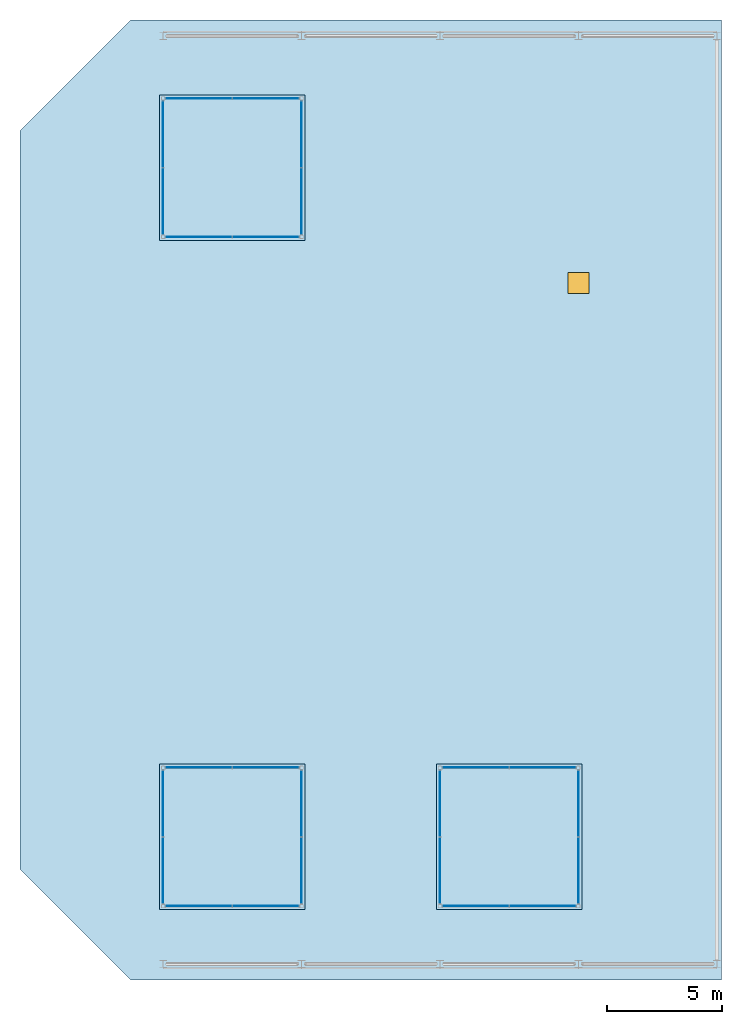
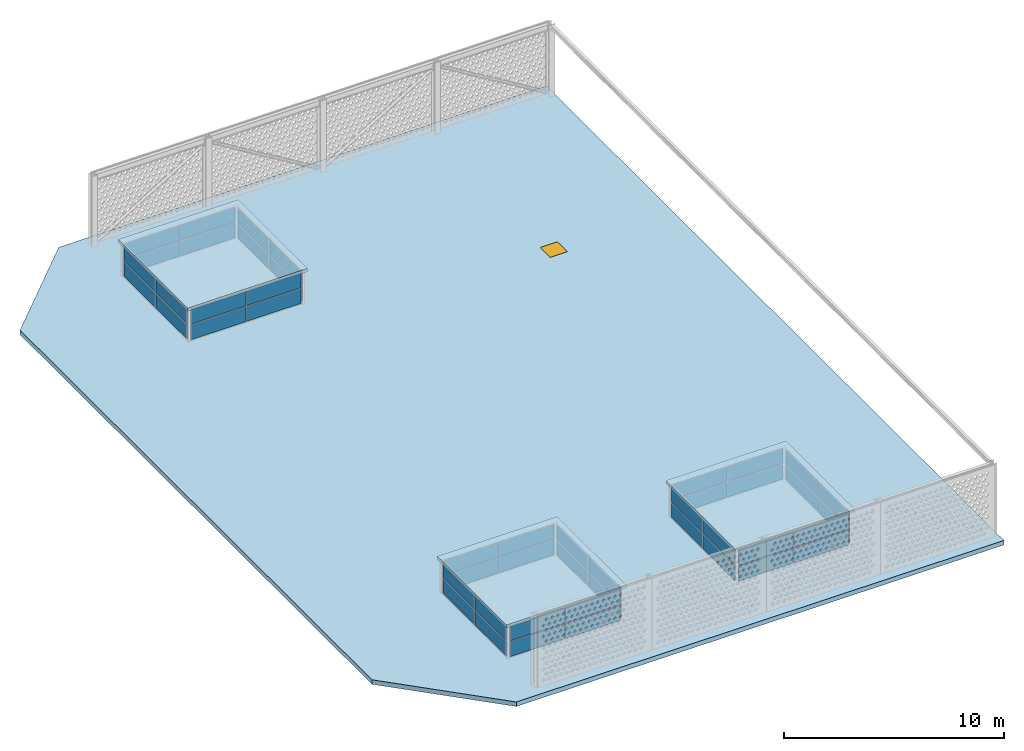
"""IFC4 building model written with IfcOpenShell, lengths in metres."""

import ifcopenshell
import ifcopenshell.guid

model = None  # the IFC model being written
_history = None  # IfcOwnerHistory: only IFC2X3 demands one
_inside = {}  # id of a spatial element -> (the spatial element, [elements in it])
_under = {}  # id of a project, library or spatial element -> (it, [spatial elements below it])
_declared = {}  # id of a project -> (the project, [libraries it declares])
_typed = {}  # id of a type object -> (the type object, [elements of that type])
_made_of = {}  # id of a material, layer set ... -> (it, [elements and type objects made of it])


def new_model(schema):
    """Start an empty IFC model of exactly this schema.

    Asked for "IFC4X3", IfcOpenShell would pick the latest addendum, in which some entities
    have other attributes; the version numbers below select the first issue.
    IFC2X3 requires an IfcOwnerHistory on every rooted entity: one is made here for all.
    """
    global model, _history
    if schema == "IFC4X3":
        model = ifcopenshell.file(schema_version=(4, 3, 0, 0))
    else:
        model = ifcopenshell.file(schema=schema)
    _inside.clear()
    _under.clear()
    _declared.clear()
    _typed.clear()
    _made_of.clear()
    _history = None
    if model.schema == "IFC2X3":
        org = make("IfcOrganization", Name="unknown")
        user = make(
            "IfcPersonAndOrganization",
            ThePerson=make("IfcPerson", FamilyName="unknown"),
            TheOrganization=org,
        )
        app = make(
            "IfcApplication",
            ApplicationDeveloper=org,
            Version="unknown",
            ApplicationFullName="unknown",
            ApplicationIdentifier="unknown",
        )
        _history = make(
            "IfcOwnerHistory",
            OwningUser=user,
            OwningApplication=app,
            ChangeAction="ADDED",
            CreationDate=0,
        )
    return model


def make(cls, **values):
    """One entity of the class cls with the attributes given. An attribute that is None is left unset."""
    return model.create_entity(
        cls, **{name: value for name, value in values.items() if value is not None}
    )


def rooted(cls, **values):
    """An entity with a GlobalId (a new one), such as an element, a storey or a relation."""
    return make(cls, GlobalId=ifcopenshell.guid.new(), OwnerHistory=_history, **values)


def si_unit(unit_type, name, prefix=None):
    """IfcSIUnit, for example si_unit("LENGTHUNIT", "METRE", prefix="MILLI")."""
    return make("IfcSIUnit", UnitType=unit_type, Prefix=prefix, Name=name)


def assignment(units):
    """IfcUnitAssignment: the units of a project."""
    return None if units is None else make("IfcUnitAssignment", Units=units)


def point(xyz):
    """IfcCartesianPoint."""
    return None if xyz is None else make("IfcCartesianPoint", Coordinates=xyz)


def direction(xyz):
    """IfcDirection."""
    return None if xyz is None else make("IfcDirection", DirectionRatios=xyz)


def frame(location, z_axis=None, x_axis=None):
    """IfcAxis2Placement3D, a coordinate frame: its origin and axes. An axis left out is left unset."""
    return make(
        "IfcAxis2Placement3D",
        Location=point(location),
        Axis=direction(z_axis),
        RefDirection=direction(x_axis),
    )


def frame_2d(location, x_axis=None):
    """IfcAxis2Placement2D, a coordinate frame in the plane: its origin and x axis."""
    return make(
        "IfcAxis2Placement2D", Location=point(location), RefDirection=direction(x_axis)
    )


def origin():
    """The frame at (0, 0, 0) with its axes left unset."""
    return frame((0.0, 0.0, 0.0))


def origin_2d():
    """The frame at (0, 0) in the plane with its x axis left unset."""
    return frame_2d((0.0, 0.0))


def place(relative_to, where):
    """IfcLocalPlacement: puts the frame where relative to a parent placement (None: the world)."""
    return make(
        "IfcLocalPlacement", PlacementRelTo=relative_to, RelativePlacement=where
    )


def context(
    kind, dimensions, precision=None, world=None, true_north=None, identifier=None
):
    """IfcGeometricRepresentationContext, for example the 3D "Model" context."""
    return make(
        "IfcGeometricRepresentationContext",
        ContextIdentifier=identifier,
        ContextType=kind,
        CoordinateSpaceDimension=dimensions,
        Precision=precision,
        WorldCoordinateSystem=world,
        TrueNorth=true_north,
    )


def subcontext(parent, identifier, kind, view, scale=None):
    """IfcGeometricRepresentationSubContext, for example "Body" below "Model"."""
    return make(
        "IfcGeometricRepresentationSubContext",
        ContextIdentifier=identifier,
        ContextType=kind,
        ParentContext=parent,
        TargetScale=scale,
        TargetView=view,
    )


def project(units=None, contexts=None):
    """IfcProject with its units and contexts."""
    return rooted(
        "IfcProject",
        Name="project",
        RepresentationContexts=contexts,
        UnitsInContext=assignment(units),
    )


def spatial(cls, under=None, at=None, **own):
    """A site, building, storey or space (cls), placed at a placement, below another one or the project."""
    s = rooted(cls, ObjectPlacement=at, **own)
    if under is not None:
        _under.setdefault(under.id(), (under, []))[1].append(s)
    return s


def polyline(points):
    """IfcPolyline through the points."""
    return make("IfcPolyline", Points=[point(p) for p in points])


def profile(cls, at=None, kind="AREA", **sizes):
    """A parametric profile (cls). Its sizes go by their IFC names, for example OverallWidth=200.0."""
    return make(cls, ProfileType=kind, Position=at, **sizes)


def rectangle(**sizes):
    """IfcRectangleProfileDef."""
    return profile("IfcRectangleProfileDef", **sizes)


def outline(outer, holes=None, kind="AREA"):
    """IfcArbitraryClosedProfileDef: a profile drawn as a closed curve; with holes, ...WithVoids."""
    if holes is None:
        return make("IfcArbitraryClosedProfileDef", ProfileType=kind, OuterCurve=outer)
    return make(
        "IfcArbitraryProfileDefWithVoids",
        ProfileType=kind,
        OuterCurve=outer,
        InnerCurves=holes,
    )


def extrude(swept, where, along, depth):
    """IfcExtrudedAreaSolid: the profile swept, set in the frame where, extruded along a direction by depth."""
    return make(
        "IfcExtrudedAreaSolid",
        SweptArea=swept,
        Position=where,
        ExtrudedDirection=direction(along),
        Depth=depth,
    )


def shape(context_of_items, identifier, shape_type, items):
    """IfcShapeRepresentation: the items that make up one representation, for example the "Body"."""
    return make(
        "IfcShapeRepresentation",
        ContextOfItems=context_of_items,
        RepresentationIdentifier=identifier,
        RepresentationType=shape_type,
        Items=items,
    )


def source(mapping_origin, context_of_items, identifier, shape_type, items):
    """IfcRepresentationMap: a shape defined once, which mapped items show again and again."""
    return make(
        "IfcRepresentationMap",
        MappingOrigin=mapping_origin,
        MappedRepresentation=shape(context_of_items, identifier, shape_type, items),
    )


def transform(
    local_origin,
    x_axis=None,
    y_axis=None,
    z_axis=None,
    scale=None,
    scale2=None,
    scale3=None,
    uniform=True,
):
    """IfcCartesianTransformationOperator3D, or its non-uniform kind. x_axis, y_axis, z_axis: its Axis1, 2, 3."""
    if uniform:
        return make(
            "IfcCartesianTransformationOperator3D",
            Axis1=direction(x_axis),
            Axis2=direction(y_axis),
            LocalOrigin=point(local_origin),
            Scale=scale,
            Axis3=direction(z_axis),
        )
    return make(
        "IfcCartesianTransformationOperator3DnonUniform",
        Axis1=direction(x_axis),
        Axis2=direction(y_axis),
        LocalOrigin=point(local_origin),
        Scale=scale,
        Axis3=direction(z_axis),
        Scale2=scale2,
        Scale3=scale3,
    )


def mapped(mapping_source, mapping_target):
    """IfcMappedItem: shows the shape of a source again, moved by a transform."""
    return make(
        "IfcMappedItem", MappingSource=mapping_source, MappingTarget=mapping_target
    )


def material(Name=None, Category=None):
    """IfcMaterial."""
    return make("IfcMaterial", Name=Name, Category=Category)


def layer(
    of_material, thickness, ventilated=None, Name=None, Category=None, Priority=None
):
    """IfcMaterialLayer: one layer of a wall or slab, of a material (None: an air gap)."""
    return make(
        "IfcMaterialLayer",
        Material=of_material,
        LayerThickness=thickness,
        IsVentilated=ventilated,
        Name=Name,
        Category=Category,
        Priority=Priority,
    )


def layer_set(layers, Name=None):
    """IfcMaterialLayerSet."""
    return make("IfcMaterialLayerSet", MaterialLayers=layers, LayerSetName=Name)


def made_of(thing, what):
    """Note that an element or type object is made of a material, layer set ...; save() writes the relation."""
    if what is not None:
        _made_of.setdefault(what.id(), (what, []))[1].append(thing)
    return thing


def type_object(cls, material=None, **own):
    """A type object (cls), such as IfcWallType, which elements share."""
    return made_of(rooted(cls, **own), material)


def element(
    cls,
    number,
    at=None,
    inside=None,
    cuts=None,
    type_object=None,
    material=None,
    context=None,
    identifier="Body",
    shape_type=None,
    held_by="IfcProductDefinitionShape",
    body=None,
    shapes=None,
    **own,
):
    """One element of the class cls, such as IfcWall. Its Tag is "e" and its number.

    at: its placement. inside: the storey or other place that contains it. cuts: it is an
    opening in that element (IfcRelVoidsElement). A single representation is given by context,
    identifier, shape_type and body (its items); several are given by shapes. held_by: the class
    of the entity that holds the representations. save() writes the other relations.
    """
    e = rooted(cls, Tag="e%d" % number, ObjectPlacement=at, **own)
    if body is not None:
        shapes = [shape(context, identifier, shape_type, body)]
    if shapes is not None:
        e.Representation = make(held_by, Representations=shapes)
    if inside is not None:
        _inside.setdefault(inside.id(), (inside, []))[1].append(e)
    if cuts is not None:
        rooted(
            "IfcRelVoidsElement", RelatingBuildingElement=cuts, RelatedOpeningElement=e
        )
    if type_object is not None:
        _typed.setdefault(type_object.id(), (type_object, []))[1].append(e)
    return made_of(e, material)


def fill(opening, filler):
    """IfcRelFillsElement: the door or window that sits in an opening."""
    return rooted(
        "IfcRelFillsElement",
        RelatingOpeningElement=opening,
        RelatedBuildingElement=filler,
    )


def aggregate(whole, parts):
    """IfcRelAggregates: a whole, such as a stair, and the parts it consists of."""
    return rooted("IfcRelAggregates", RelatingObject=whole, RelatedObjects=parts)


def save(model, path):
    """Write the relations noted so far, then the file.

    IfcRelAggregates (storeys below a building ...), IfcRelContainedInSpatialStructure (elements
    in a storey), IfcRelDefinesByType, IfcRelAssociatesMaterial and IfcRelDeclares: one each for
    every whole, place, type object, material and project.
    """
    for whole, parts in _under.values():
        aggregate(whole, parts)
    for where, things in _inside.values():
        rooted(
            "IfcRelContainedInSpatialStructure",
            RelatedElements=things,
            RelatingStructure=where,
        )
    for kind, things in _typed.values():
        rooted("IfcRelDefinesByType", RelatedObjects=things, RelatingType=kind)
    for what, things in _made_of.values():
        rooted("IfcRelAssociatesMaterial", RelatedObjects=things, RelatingMaterial=what)
    for by, libraries in _declared.values():
        rooted("IfcRelDeclares", RelatingContext=by, RelatedDefinitions=libraries)
    model.write(path)


model = new_model("IFC4")

# Units and contexts
model_context = context("Model", 3, precision=1e-05, world=origin(), true_north=direction((0.0, 1.0)))
body_context = subcontext(model_context, "Body", "Model", "MODEL_VIEW")
ifc_project = project(units=[si_unit("LENGTHUNIT", "METRE"), si_unit("AREAUNIT", "SQUARE_METRE"), si_unit("VOLUMEUNIT", "CUBIC_METRE"), si_unit("PLANEANGLEUNIT", "RADIAN"), si_unit("MASSUNIT", "GRAM", prefix="KILO")], contexts=[model_context])

# Site, building, storey
site_placement = place(None, origin())
site = spatial("IfcSite", under=ifc_project, at=site_placement, CompositionType="ELEMENT")
building_placement = place(site_placement, origin())
building = spatial("IfcBuilding", under=site, at=building_placement, Name="Poui Terraces", CompositionType="ELEMENT")
storey_1_placement = place(building_placement, frame((0.0, 0.0, 292.199951171875)))
storey_1 = spatial("IfcBuildingStorey", under=building, at=storey_1_placement, Name="ROOF", CompositionType="ELEMENT", Elevation=292.199951171875)

# Curtain wall, plates
ifc_material_1 = material(Name="Clear glass", Category="glass")
ifc_layer_1 = layer(ifc_material_1, 0.1201171875)
ifc_layer_set_1 = layer_set([ifc_layer_1], Name="Clear glass")
curtain_wall_type = type_object("IfcCurtainWallType", Name="CURTAIN WALL CW-F LANTERN GLAZING", PredefinedType="NOTDEFINED", material=ifc_layer_set_1)
curtain_wall_1_placement = place(storey_1_placement, origin())
curtain_wall_1 = element("IfcCurtainWall", 1, at=curtain_wall_1_placement, inside=storey_1, type_object=curtain_wall_type, Name="CW-F LANTERN GLAZING", PredefinedType="NOTDEFINED")
ifc_layer_2 = layer(ifc_material_1, 0.02392578125)
ifc_layer_set_2 = layer_set([ifc_layer_2], Name="Clear glass")
plate_type = type_object("IfcPlateType", Name="CW-F GLASS PANEL 24", PredefinedType="CURTAIN_PANEL", material=ifc_layer_set_2)
plate_1_placement = place(storey_1_placement, frame((25.550048828125, 3.0, 0.05029296875), z_axis=(0.0, 0.0, 1.0), x_axis=(1.0, 0.0, 0.0)))
plate_1 = element("IfcPlate", 2, at=plate_1_placement, type_object=plate_type, Name="CW-F panel 1.1", PredefinedType="CURTAIN_PANEL", context=body_context, shape_type="SweptSolid", body=[
    extrude(rectangle(XDim=2.85009765625, YDim=0.02392578125, at=origin_2d()), origin(), (0.0, 0.0, 1.0), 0.824951171875),
])
plate_2_placement = place(storey_1_placement, frame((25.550048828125, 3.0, 0.92529296875), z_axis=(0.0, 0.0, 1.0), x_axis=(1.0, 0.0, 0.0)))
plate_2 = element("IfcPlate", 3, at=plate_2_placement, type_object=plate_type, Name="CW-F panel 1.2", PredefinedType="CURTAIN_PANEL", context=body_context, shape_type="SweptSolid", body=[
    extrude(rectangle(XDim=2.85009765625, YDim=0.02392578125, at=origin_2d()), origin(), (0.0, 0.0, 1.0), 0.824951171875),
])
plate_3_placement = place(storey_1_placement, frame((28.449951171875, 3.0, 0.05029296875), z_axis=(0.0, 0.0, 1.0), x_axis=(1.0, 0.0, 0.0)))
plate_3 = element("IfcPlate", 4, at=plate_3_placement, type_object=plate_type, Name="CW-F panel 2.1", PredefinedType="CURTAIN_PANEL", context=body_context, shape_type="SweptSolid", body=[
    extrude(rectangle(XDim=2.85009765625, YDim=0.02392578125, at=origin_2d()), origin(), (0.0, 0.0, 1.0), 0.824951171875),
])
plate_4_placement = place(storey_1_placement, frame((28.449951171875, 3.0, 0.92529296875), z_axis=(0.0, 0.0, 1.0), x_axis=(1.0, 0.0, 0.0)))
plate_4 = element("IfcPlate", 5, at=plate_4_placement, type_object=plate_type, Name="CW-F panel 2.2", PredefinedType="CURTAIN_PANEL", context=body_context, shape_type="SweptSolid", body=[
    extrude(rectangle(XDim=2.85009765625, YDim=0.02392578125, at=origin_2d()), origin(), (0.0, 0.0, 1.0), 0.824951171875),
])
aggregate(curtain_wall_1, [plate_1, plate_2, plate_3, plate_4])

curtain_wall_2_placement = place(storey_1_placement, origin())
curtain_wall_2 = element("IfcCurtainWall", 6, at=curtain_wall_2_placement, inside=storey_1, type_object=curtain_wall_type, Name="CW-F LANTERN GLAZING", PredefinedType="NOTDEFINED")
plate_5_placement = place(storey_1_placement, frame((28.449951171875, 9.0, 0.05029296875), z_axis=(0.0, 0.0, 1.0), x_axis=(-1.0, 0.0, 0.0)))
plate_5 = element("IfcPlate", 7, at=plate_5_placement, type_object=plate_type, Name="CW-F panel 1.1", PredefinedType="CURTAIN_PANEL", context=body_context, shape_type="SweptSolid", body=[
    extrude(rectangle(XDim=2.85009765625, YDim=0.02392578125, at=origin_2d()), origin(), (0.0, 0.0, 1.0), 0.824951171875),
])
plate_6_placement = place(storey_1_placement, frame((28.449951171875, 9.0, 0.92529296875), z_axis=(0.0, 0.0, 1.0), x_axis=(-1.0, 0.0, 0.0)))
plate_6 = element("IfcPlate", 8, at=plate_6_placement, type_object=plate_type, Name="CW-F panel 1.2", PredefinedType="CURTAIN_PANEL", context=body_context, shape_type="SweptSolid", body=[
    extrude(rectangle(XDim=2.85009765625, YDim=0.02392578125, at=origin_2d()), origin(), (0.0, 0.0, 1.0), 0.824951171875),
])
plate_7_placement = place(storey_1_placement, frame((25.550048828125, 9.0, 0.05029296875), z_axis=(0.0, 0.0, 1.0), x_axis=(-1.0, 0.0, 0.0)))
plate_7 = element("IfcPlate", 9, at=plate_7_placement, type_object=plate_type, Name="CW-F panel 2.1", PredefinedType="CURTAIN_PANEL", context=body_context, shape_type="SweptSolid", body=[
    extrude(rectangle(XDim=2.85009765625, YDim=0.02392578125, at=origin_2d()), origin(), (0.0, 0.0, 1.0), 0.824951171875),
])
plate_8_placement = place(storey_1_placement, frame((25.550048828125, 9.0, 0.92529296875), z_axis=(0.0, 0.0, 1.0), x_axis=(-1.0, 0.0, 0.0)))
plate_8 = element("IfcPlate", 10, at=plate_8_placement, type_object=plate_type, Name="CW-F panel 2.2", PredefinedType="CURTAIN_PANEL", context=body_context, shape_type="SweptSolid", body=[
    extrude(rectangle(XDim=2.85009765625, YDim=0.02392578125, at=origin_2d()), origin(), (0.0, 0.0, 1.0), 0.824951171875),
])
aggregate(curtain_wall_2, [plate_5, plate_6, plate_7, plate_8])

curtain_wall_3_placement = place(storey_1_placement, origin())
curtain_wall_3 = element("IfcCurtainWall", 11, at=curtain_wall_3_placement, inside=storey_1, type_object=curtain_wall_type, Name="CW-F LANTERN GLAZING", PredefinedType="NOTDEFINED")
plate_9_placement = place(storey_1_placement, frame((30.0, 4.550048828125, 0.05029296875), z_axis=(0.0, 0.0, 1.0), x_axis=(0.0, 1.0, 0.0)))
plate_9 = element("IfcPlate", 12, at=plate_9_placement, type_object=plate_type, Name="CW-F panel 1.1", PredefinedType="CURTAIN_PANEL", context=body_context, shape_type="SweptSolid", body=[
    extrude(rectangle(XDim=2.85009765625, YDim=0.02392578125, at=origin_2d()), origin(), (0.0, 0.0, 1.0), 0.824951171875),
])
plate_10_placement = place(storey_1_placement, frame((30.0, 4.550048828125, 0.92529296875), z_axis=(0.0, 0.0, 1.0), x_axis=(0.0, 1.0, 0.0)))
plate_10 = element("IfcPlate", 13, at=plate_10_placement, type_object=plate_type, Name="CW-F panel 1.2", PredefinedType="CURTAIN_PANEL", context=body_context, shape_type="SweptSolid", body=[
    extrude(rectangle(XDim=2.85009765625, YDim=0.02392578125, at=origin_2d()), origin(), (0.0, 0.0, 1.0), 0.824951171875),
])
plate_11_placement = place(storey_1_placement, frame((30.0, 7.449951171875, 0.05029296875), z_axis=(0.0, 0.0, 1.0), x_axis=(0.0, 1.0, 0.0)))
plate_11 = element("IfcPlate", 14, at=plate_11_placement, type_object=plate_type, Name="CW-F panel 2.1", PredefinedType="CURTAIN_PANEL", context=body_context, shape_type="SweptSolid", body=[
    extrude(rectangle(XDim=2.85009765625, YDim=0.02392578125, at=origin_2d()), origin(), (0.0, 0.0, 1.0), 0.824951171875),
])
plate_12_placement = place(storey_1_placement, frame((30.0, 7.449951171875, 0.92529296875), z_axis=(0.0, 0.0, 1.0), x_axis=(0.0, 1.0, 0.0)))
plate_12 = element("IfcPlate", 15, at=plate_12_placement, type_object=plate_type, Name="CW-F panel 2.2", PredefinedType="CURTAIN_PANEL", context=body_context, shape_type="SweptSolid", body=[
    extrude(rectangle(XDim=2.85009765625, YDim=0.02392578125, at=origin_2d()), origin(), (0.0, 0.0, 1.0), 0.824951171875),
])
aggregate(curtain_wall_3, [plate_9, plate_10, plate_11, plate_12])

curtain_wall_4_placement = place(storey_1_placement, origin())
curtain_wall_4 = element("IfcCurtainWall", 16, at=curtain_wall_4_placement, inside=storey_1, type_object=curtain_wall_type, Name="CW-F LANTERN GLAZING", PredefinedType="NOTDEFINED")
plate_13_placement = place(storey_1_placement, frame((24.0, 7.449951171875, 0.05029296875), z_axis=(0.0, 0.0, 1.0), x_axis=(0.0, -1.0, 0.0)))
plate_13 = element("IfcPlate", 17, at=plate_13_placement, type_object=plate_type, Name="CW-F panel 1.1", PredefinedType="CURTAIN_PANEL", context=body_context, shape_type="SweptSolid", body=[
    extrude(rectangle(XDim=2.85009765625, YDim=0.02392578125, at=origin_2d()), origin(), (0.0, 0.0, 1.0), 0.824951171875),
])
plate_14_placement = place(storey_1_placement, frame((24.0, 7.449951171875, 0.92529296875), z_axis=(0.0, 0.0, 1.0), x_axis=(0.0, -1.0, 0.0)))
plate_14 = element("IfcPlate", 18, at=plate_14_placement, type_object=plate_type, Name="CW-F panel 1.2", PredefinedType="CURTAIN_PANEL", context=body_context, shape_type="SweptSolid", body=[
    extrude(rectangle(XDim=2.85009765625, YDim=0.02392578125, at=origin_2d()), origin(), (0.0, 0.0, 1.0), 0.824951171875),
])
plate_15_placement = place(storey_1_placement, frame((24.0, 4.550048828125, 0.05029296875), z_axis=(0.0, 0.0, 1.0), x_axis=(0.0, -1.0, 0.0)))
plate_15 = element("IfcPlate", 19, at=plate_15_placement, type_object=plate_type, Name="CW-F panel 2.1", PredefinedType="CURTAIN_PANEL", context=body_context, shape_type="SweptSolid", body=[
    extrude(rectangle(XDim=2.85009765625, YDim=0.02392578125, at=origin_2d()), origin(), (0.0, 0.0, 1.0), 0.824951171875),
])
plate_16_placement = place(storey_1_placement, frame((24.0, 4.550048828125, 0.92529296875), z_axis=(0.0, 0.0, 1.0), x_axis=(0.0, -1.0, 0.0)))
plate_16 = element("IfcPlate", 20, at=plate_16_placement, type_object=plate_type, Name="CW-F panel 2.2", PredefinedType="CURTAIN_PANEL", context=body_context, shape_type="SweptSolid", body=[
    extrude(rectangle(XDim=2.85009765625, YDim=0.02392578125, at=origin_2d()), origin(), (0.0, 0.0, 1.0), 0.824951171875),
])
aggregate(curtain_wall_4, [plate_13, plate_14, plate_15, plate_16])

curtain_wall_5_placement = place(storey_1_placement, origin())
curtain_wall_5 = element("IfcCurtainWall", 21, at=curtain_wall_5_placement, inside=storey_1, type_object=curtain_wall_type, Name="CW-F LANTERN GLAZING", PredefinedType="NOTDEFINED")
plate_17_placement = place(storey_1_placement, frame((37.550048828125, 3.0, 0.05029296875), z_axis=(0.0, 0.0, 1.0), x_axis=(1.0, 0.0, 0.0)))
plate_17 = element("IfcPlate", 22, at=plate_17_placement, type_object=plate_type, Name="CW-F panel 1.1", PredefinedType="CURTAIN_PANEL", context=body_context, shape_type="SweptSolid", body=[
    extrude(rectangle(XDim=2.85009765625, YDim=0.02392578125, at=origin_2d()), origin(), (0.0, 0.0, 1.0), 0.824951171875),
])
plate_18_placement = place(storey_1_placement, frame((37.550048828125, 3.0, 0.92529296875), z_axis=(0.0, 0.0, 1.0), x_axis=(1.0, 0.0, 0.0)))
plate_18 = element("IfcPlate", 23, at=plate_18_placement, type_object=plate_type, Name="CW-F panel 1.2", PredefinedType="CURTAIN_PANEL", context=body_context, shape_type="SweptSolid", body=[
    extrude(rectangle(XDim=2.85009765625, YDim=0.02392578125, at=origin_2d()), origin(), (0.0, 0.0, 1.0), 0.824951171875),
])
plate_19_placement = place(storey_1_placement, frame((40.449951171875, 3.0, 0.05029296875), z_axis=(0.0, 0.0, 1.0), x_axis=(1.0, 0.0, 0.0)))
plate_19 = element("IfcPlate", 24, at=plate_19_placement, type_object=plate_type, Name="CW-F panel 2.1", PredefinedType="CURTAIN_PANEL", context=body_context, shape_type="SweptSolid", body=[
    extrude(rectangle(XDim=2.85009765625, YDim=0.02392578125, at=origin_2d()), origin(), (0.0, 0.0, 1.0), 0.824951171875),
])
plate_20_placement = place(storey_1_placement, frame((40.449951171875, 3.0, 0.92529296875), z_axis=(0.0, 0.0, 1.0), x_axis=(1.0, 0.0, 0.0)))
plate_20 = element("IfcPlate", 25, at=plate_20_placement, type_object=plate_type, Name="CW-F panel 2.2", PredefinedType="CURTAIN_PANEL", context=body_context, shape_type="SweptSolid", body=[
    extrude(rectangle(XDim=2.85009765625, YDim=0.02392578125, at=origin_2d()), origin(), (0.0, 0.0, 1.0), 0.824951171875),
])
aggregate(curtain_wall_5, [plate_17, plate_18, plate_19, plate_20])

curtain_wall_6_placement = place(storey_1_placement, origin())
curtain_wall_6 = element("IfcCurtainWall", 26, at=curtain_wall_6_placement, inside=storey_1, type_object=curtain_wall_type, Name="CW-F LANTERN GLAZING", PredefinedType="NOTDEFINED")
plate_21_placement = place(storey_1_placement, frame((40.449951171875, 9.0, 0.05029296875), z_axis=(0.0, 0.0, 1.0), x_axis=(-1.0, 0.0, 0.0)))
plate_21 = element("IfcPlate", 27, at=plate_21_placement, type_object=plate_type, Name="CW-F panel 1.1", PredefinedType="CURTAIN_PANEL", context=body_context, shape_type="SweptSolid", body=[
    extrude(rectangle(XDim=2.85009765625, YDim=0.02392578125, at=origin_2d()), origin(), (0.0, 0.0, 1.0), 0.824951171875),
])
plate_22_placement = place(storey_1_placement, frame((40.449951171875, 9.0, 0.92529296875), z_axis=(0.0, 0.0, 1.0), x_axis=(-1.0, 0.0, 0.0)))
plate_22 = element("IfcPlate", 28, at=plate_22_placement, type_object=plate_type, Name="CW-F panel 1.2", PredefinedType="CURTAIN_PANEL", context=body_context, shape_type="SweptSolid", body=[
    extrude(rectangle(XDim=2.85009765625, YDim=0.02392578125, at=origin_2d()), origin(), (0.0, 0.0, 1.0), 0.824951171875),
])
plate_23_placement = place(storey_1_placement, frame((37.550048828125, 9.0, 0.05029296875), z_axis=(0.0, 0.0, 1.0), x_axis=(-1.0, 0.0, 0.0)))
plate_23 = element("IfcPlate", 29, at=plate_23_placement, type_object=plate_type, Name="CW-F panel 2.1", PredefinedType="CURTAIN_PANEL", context=body_context, shape_type="SweptSolid", body=[
    extrude(rectangle(XDim=2.85009765625, YDim=0.02392578125, at=origin_2d()), origin(), (0.0, 0.0, 1.0), 0.824951171875),
])
plate_24_placement = place(storey_1_placement, frame((37.550048828125, 9.0, 0.92529296875), z_axis=(0.0, 0.0, 1.0), x_axis=(-1.0, 0.0, 0.0)))
plate_24 = element("IfcPlate", 30, at=plate_24_placement, type_object=plate_type, Name="CW-F panel 2.2", PredefinedType="CURTAIN_PANEL", context=body_context, shape_type="SweptSolid", body=[
    extrude(rectangle(XDim=2.85009765625, YDim=0.02392578125, at=origin_2d()), origin(), (0.0, 0.0, 1.0), 0.824951171875),
])
aggregate(curtain_wall_6, [plate_21, plate_22, plate_23, plate_24])

curtain_wall_7_placement = place(storey_1_placement, origin())
curtain_wall_7 = element("IfcCurtainWall", 31, at=curtain_wall_7_placement, inside=storey_1, type_object=curtain_wall_type, Name="CW-F LANTERN GLAZING", PredefinedType="NOTDEFINED")
plate_25_placement = place(storey_1_placement, frame((42.0, 4.550048828125, 0.05029296875), z_axis=(0.0, 0.0, 1.0), x_axis=(0.0, 1.0, 0.0)))
plate_25 = element("IfcPlate", 32, at=plate_25_placement, type_object=plate_type, Name="CW-F panel 1.1", PredefinedType="CURTAIN_PANEL", context=body_context, shape_type="SweptSolid", body=[
    extrude(rectangle(XDim=2.85009765625, YDim=0.02392578125, at=origin_2d()), origin(), (0.0, 0.0, 1.0), 0.824951171875),
])
plate_26_placement = place(storey_1_placement, frame((42.0, 4.550048828125, 0.92529296875), z_axis=(0.0, 0.0, 1.0), x_axis=(0.0, 1.0, 0.0)))
plate_26 = element("IfcPlate", 33, at=plate_26_placement, type_object=plate_type, Name="CW-F panel 1.2", PredefinedType="CURTAIN_PANEL", context=body_context, shape_type="SweptSolid", body=[
    extrude(rectangle(XDim=2.85009765625, YDim=0.02392578125, at=origin_2d()), origin(), (0.0, 0.0, 1.0), 0.824951171875),
])
plate_27_placement = place(storey_1_placement, frame((42.0, 7.449951171875, 0.05029296875), z_axis=(0.0, 0.0, 1.0), x_axis=(0.0, 1.0, 0.0)))
plate_27 = element("IfcPlate", 34, at=plate_27_placement, type_object=plate_type, Name="CW-F panel 2.1", PredefinedType="CURTAIN_PANEL", context=body_context, shape_type="SweptSolid", body=[
    extrude(rectangle(XDim=2.85009765625, YDim=0.02392578125, at=origin_2d()), origin(), (0.0, 0.0, 1.0), 0.824951171875),
])
plate_28_placement = place(storey_1_placement, frame((42.0, 7.449951171875, 0.92529296875), z_axis=(0.0, 0.0, 1.0), x_axis=(0.0, 1.0, 0.0)))
plate_28 = element("IfcPlate", 35, at=plate_28_placement, type_object=plate_type, Name="CW-F panel 2.2", PredefinedType="CURTAIN_PANEL", context=body_context, shape_type="SweptSolid", body=[
    extrude(rectangle(XDim=2.85009765625, YDim=0.02392578125, at=origin_2d()), origin(), (0.0, 0.0, 1.0), 0.824951171875),
])
aggregate(curtain_wall_7, [plate_25, plate_26, plate_27, plate_28])

curtain_wall_8_placement = place(storey_1_placement, origin())
curtain_wall_8 = element("IfcCurtainWall", 36, at=curtain_wall_8_placement, inside=storey_1, type_object=curtain_wall_type, Name="CW-F LANTERN GLAZING", PredefinedType="NOTDEFINED")
plate_29_placement = place(storey_1_placement, frame((36.0, 7.449951171875, 0.05029296875), z_axis=(0.0, 0.0, 1.0), x_axis=(0.0, -1.0, 0.0)))
plate_29 = element("IfcPlate", 37, at=plate_29_placement, type_object=plate_type, Name="CW-F panel 1.1", PredefinedType="CURTAIN_PANEL", context=body_context, shape_type="SweptSolid", body=[
    extrude(rectangle(XDim=2.85009765625, YDim=0.02392578125, at=origin_2d()), origin(), (0.0, 0.0, 1.0), 0.824951171875),
])
plate_30_placement = place(storey_1_placement, frame((36.0, 7.449951171875, 0.92529296875), z_axis=(0.0, 0.0, 1.0), x_axis=(0.0, -1.0, 0.0)))
plate_30 = element("IfcPlate", 38, at=plate_30_placement, type_object=plate_type, Name="CW-F panel 1.2", PredefinedType="CURTAIN_PANEL", context=body_context, shape_type="SweptSolid", body=[
    extrude(rectangle(XDim=2.85009765625, YDim=0.02392578125, at=origin_2d()), origin(), (0.0, 0.0, 1.0), 0.824951171875),
])
plate_31_placement = place(storey_1_placement, frame((36.0, 4.550048828125, 0.05029296875), z_axis=(0.0, 0.0, 1.0), x_axis=(0.0, -1.0, 0.0)))
plate_31 = element("IfcPlate", 39, at=plate_31_placement, type_object=plate_type, Name="CW-F panel 2.1", PredefinedType="CURTAIN_PANEL", context=body_context, shape_type="SweptSolid", body=[
    extrude(rectangle(XDim=2.85009765625, YDim=0.02392578125, at=origin_2d()), origin(), (0.0, 0.0, 1.0), 0.824951171875),
])
plate_32_placement = place(storey_1_placement, frame((36.0, 4.550048828125, 0.92529296875), z_axis=(0.0, 0.0, 1.0), x_axis=(0.0, -1.0, 0.0)))
plate_32 = element("IfcPlate", 40, at=plate_32_placement, type_object=plate_type, Name="CW-F panel 2.2", PredefinedType="CURTAIN_PANEL", context=body_context, shape_type="SweptSolid", body=[
    extrude(rectangle(XDim=2.85009765625, YDim=0.02392578125, at=origin_2d()), origin(), (0.0, 0.0, 1.0), 0.824951171875),
])
aggregate(curtain_wall_8, [plate_29, plate_30, plate_31, plate_32])

curtain_wall_9_placement = place(storey_1_placement, origin())
curtain_wall_9 = element("IfcCurtainWall", 41, at=curtain_wall_9_placement, inside=storey_1, type_object=curtain_wall_type, Name="CW-F LANTERN GLAZING", PredefinedType="NOTDEFINED")
plate_33_placement = place(storey_1_placement, frame((25.550048828125, 32.0, 0.05029296875), z_axis=(0.0, 0.0, 1.0), x_axis=(1.0, 0.0, 0.0)))
plate_33 = element("IfcPlate", 42, at=plate_33_placement, type_object=plate_type, Name="CW-F panel 1.1", PredefinedType="CURTAIN_PANEL", context=body_context, shape_type="SweptSolid", body=[
    extrude(rectangle(XDim=2.85009765625, YDim=0.02392578125, at=origin_2d()), origin(), (0.0, 0.0, 1.0), 0.824951171875),
])
plate_34_placement = place(storey_1_placement, frame((25.550048828125, 32.0, 0.92529296875), z_axis=(0.0, 0.0, 1.0), x_axis=(1.0, 0.0, 0.0)))
plate_34 = element("IfcPlate", 43, at=plate_34_placement, type_object=plate_type, Name="CW-F panel 1.2", PredefinedType="CURTAIN_PANEL", context=body_context, shape_type="SweptSolid", body=[
    extrude(rectangle(XDim=2.85009765625, YDim=0.02392578125, at=origin_2d()), origin(), (0.0, 0.0, 1.0), 0.824951171875),
])
plate_35_placement = place(storey_1_placement, frame((28.449951171875, 32.0, 0.05029296875), z_axis=(0.0, 0.0, 1.0), x_axis=(1.0, 0.0, 0.0)))
plate_35 = element("IfcPlate", 44, at=plate_35_placement, type_object=plate_type, Name="CW-F panel 2.1", PredefinedType="CURTAIN_PANEL", context=body_context, shape_type="SweptSolid", body=[
    extrude(rectangle(XDim=2.85009765625, YDim=0.02392578125, at=origin_2d()), origin(), (0.0, 0.0, 1.0), 0.824951171875),
])
plate_36_placement = place(storey_1_placement, frame((28.449951171875, 32.0, 0.92529296875), z_axis=(0.0, 0.0, 1.0), x_axis=(1.0, 0.0, 0.0)))
plate_36 = element("IfcPlate", 45, at=plate_36_placement, type_object=plate_type, Name="CW-F panel 2.2", PredefinedType="CURTAIN_PANEL", context=body_context, shape_type="SweptSolid", body=[
    extrude(rectangle(XDim=2.85009765625, YDim=0.02392578125, at=origin_2d()), origin(), (0.0, 0.0, 1.0), 0.824951171875),
])
aggregate(curtain_wall_9, [plate_33, plate_34, plate_35, plate_36])

curtain_wall_10_placement = place(storey_1_placement, origin())
curtain_wall_10 = element("IfcCurtainWall", 46, at=curtain_wall_10_placement, inside=storey_1, type_object=curtain_wall_type, Name="CW-F LANTERN GLAZING", PredefinedType="NOTDEFINED")
plate_37_placement = place(storey_1_placement, frame((28.449951171875, 38.0, 0.05029296875), z_axis=(0.0, 0.0, 1.0), x_axis=(-1.0, 0.0, 0.0)))
plate_37 = element("IfcPlate", 47, at=plate_37_placement, type_object=plate_type, Name="CW-F panel 1.1", PredefinedType="CURTAIN_PANEL", context=body_context, shape_type="SweptSolid", body=[
    extrude(rectangle(XDim=2.85009765625, YDim=0.02392578125, at=origin_2d()), origin(), (0.0, 0.0, 1.0), 0.824951171875),
])
plate_38_placement = place(storey_1_placement, frame((28.449951171875, 38.0, 0.92529296875), z_axis=(0.0, 0.0, 1.0), x_axis=(-1.0, 0.0, 0.0)))
plate_38 = element("IfcPlate", 48, at=plate_38_placement, type_object=plate_type, Name="CW-F panel 1.2", PredefinedType="CURTAIN_PANEL", context=body_context, shape_type="SweptSolid", body=[
    extrude(rectangle(XDim=2.85009765625, YDim=0.02392578125, at=origin_2d()), origin(), (0.0, 0.0, 1.0), 0.824951171875),
])
plate_39_placement = place(storey_1_placement, frame((25.550048828125, 38.0, 0.05029296875), z_axis=(0.0, 0.0, 1.0), x_axis=(-1.0, 0.0, 0.0)))
plate_39 = element("IfcPlate", 49, at=plate_39_placement, type_object=plate_type, Name="CW-F panel 2.1", PredefinedType="CURTAIN_PANEL", context=body_context, shape_type="SweptSolid", body=[
    extrude(rectangle(XDim=2.85009765625, YDim=0.02392578125, at=origin_2d()), origin(), (0.0, 0.0, 1.0), 0.824951171875),
])
plate_40_placement = place(storey_1_placement, frame((25.550048828125, 38.0, 0.92529296875), z_axis=(0.0, 0.0, 1.0), x_axis=(-1.0, 0.0, 0.0)))
plate_40 = element("IfcPlate", 50, at=plate_40_placement, type_object=plate_type, Name="CW-F panel 2.2", PredefinedType="CURTAIN_PANEL", context=body_context, shape_type="SweptSolid", body=[
    extrude(rectangle(XDim=2.85009765625, YDim=0.02392578125, at=origin_2d()), origin(), (0.0, 0.0, 1.0), 0.824951171875),
])
aggregate(curtain_wall_10, [plate_37, plate_38, plate_39, plate_40])

curtain_wall_11_placement = place(storey_1_placement, origin())
curtain_wall_11 = element("IfcCurtainWall", 51, at=curtain_wall_11_placement, inside=storey_1, type_object=curtain_wall_type, Name="CW-F LANTERN GLAZING", PredefinedType="NOTDEFINED")
plate_41_placement = place(storey_1_placement, frame((30.0, 33.550048828125, 0.05029296875), z_axis=(0.0, 0.0, 1.0), x_axis=(0.0, 1.0, 0.0)))
plate_41 = element("IfcPlate", 52, at=plate_41_placement, type_object=plate_type, Name="CW-F panel 1.1", PredefinedType="CURTAIN_PANEL", context=body_context, shape_type="SweptSolid", body=[
    extrude(rectangle(XDim=2.85009765625, YDim=0.02392578125, at=origin_2d()), origin(), (0.0, 0.0, 1.0), 0.824951171875),
])
plate_42_placement = place(storey_1_placement, frame((30.0, 33.550048828125, 0.92529296875), z_axis=(0.0, 0.0, 1.0), x_axis=(0.0, 1.0, 0.0)))
plate_42 = element("IfcPlate", 53, at=plate_42_placement, type_object=plate_type, Name="CW-F panel 1.2", PredefinedType="CURTAIN_PANEL", context=body_context, shape_type="SweptSolid", body=[
    extrude(rectangle(XDim=2.85009765625, YDim=0.02392578125, at=origin_2d()), origin(), (0.0, 0.0, 1.0), 0.824951171875),
])
plate_43_placement = place(storey_1_placement, frame((30.0, 36.449951171875, 0.05029296875), z_axis=(0.0, 0.0, 1.0), x_axis=(0.0, 1.0, 0.0)))
plate_43 = element("IfcPlate", 54, at=plate_43_placement, type_object=plate_type, Name="CW-F panel 2.1", PredefinedType="CURTAIN_PANEL", context=body_context, shape_type="SweptSolid", body=[
    extrude(rectangle(XDim=2.85009765625, YDim=0.02392578125, at=origin_2d()), origin(), (0.0, 0.0, 1.0), 0.824951171875),
])
plate_44_placement = place(storey_1_placement, frame((30.0, 36.449951171875, 0.92529296875), z_axis=(0.0, 0.0, 1.0), x_axis=(0.0, 1.0, 0.0)))
plate_44 = element("IfcPlate", 55, at=plate_44_placement, type_object=plate_type, Name="CW-F panel 2.2", PredefinedType="CURTAIN_PANEL", context=body_context, shape_type="SweptSolid", body=[
    extrude(rectangle(XDim=2.85009765625, YDim=0.02392578125, at=origin_2d()), origin(), (0.0, 0.0, 1.0), 0.824951171875),
])
aggregate(curtain_wall_11, [plate_41, plate_42, plate_43, plate_44])

curtain_wall_12_placement = place(storey_1_placement, origin())
curtain_wall_12 = element("IfcCurtainWall", 56, at=curtain_wall_12_placement, inside=storey_1, type_object=curtain_wall_type, Name="CW-F LANTERN GLAZING", PredefinedType="NOTDEFINED")
plate_45_placement = place(storey_1_placement, frame((24.0, 36.449951171875, 0.05029296875), z_axis=(0.0, 0.0, 1.0), x_axis=(0.0, -1.0, 0.0)))
plate_45 = element("IfcPlate", 57, at=plate_45_placement, type_object=plate_type, Name="CW-F panel 1.1", PredefinedType="CURTAIN_PANEL", context=body_context, shape_type="SweptSolid", body=[
    extrude(rectangle(XDim=2.85009765625, YDim=0.02392578125, at=origin_2d()), origin(), (0.0, 0.0, 1.0), 0.824951171875),
])
plate_46_placement = place(storey_1_placement, frame((24.0, 36.449951171875, 0.92529296875), z_axis=(0.0, 0.0, 1.0), x_axis=(0.0, -1.0, 0.0)))
plate_46 = element("IfcPlate", 58, at=plate_46_placement, type_object=plate_type, Name="CW-F panel 1.2", PredefinedType="CURTAIN_PANEL", context=body_context, shape_type="SweptSolid", body=[
    extrude(rectangle(XDim=2.85009765625, YDim=0.02392578125, at=origin_2d()), origin(), (0.0, 0.0, 1.0), 0.824951171875),
])
plate_47_placement = place(storey_1_placement, frame((24.0, 33.550048828125, 0.05029296875), z_axis=(0.0, 0.0, 1.0), x_axis=(0.0, -1.0, 0.0)))
plate_47 = element("IfcPlate", 59, at=plate_47_placement, type_object=plate_type, Name="CW-F panel 2.1", PredefinedType="CURTAIN_PANEL", context=body_context, shape_type="SweptSolid", body=[
    extrude(rectangle(XDim=2.85009765625, YDim=0.02392578125, at=origin_2d()), origin(), (0.0, 0.0, 1.0), 0.824951171875),
])
plate_48_placement = place(storey_1_placement, frame((24.0, 33.550048828125, 0.92529296875), z_axis=(0.0, 0.0, 1.0), x_axis=(0.0, -1.0, 0.0)))
plate_48 = element("IfcPlate", 60, at=plate_48_placement, type_object=plate_type, Name="CW-F panel 2.2", PredefinedType="CURTAIN_PANEL", context=body_context, shape_type="SweptSolid", body=[
    extrude(rectangle(XDim=2.85009765625, YDim=0.02392578125, at=origin_2d()), origin(), (0.0, 0.0, 1.0), 0.824951171875),
])
aggregate(curtain_wall_12, [plate_45, plate_46, plate_47, plate_48])

# Slab, opening
ifc_material_2 = material(Name="Concrete 40 MPa", Category="concrete")
ifc_layer_3 = layer(ifc_material_2, 0.25)
ifc_layer_set_3 = layer_set([ifc_layer_3], Name="Concrete 40 MPa")
slab_type_1 = type_object("IfcSlabType", Name="ROOF SLAB 250", PredefinedType="ROOF", material=ifc_layer_set_3)
shared_shape_1 = source(origin(), body_context, "Body", "SweptSolid", [
    extrude(outline(polyline([(0.0, 0.0), (25.599853515625, 0.0), (25.599853515625, 41.599853515625), (0.0, 41.599853515625), (-4.800048828125, 36.800048828125), (-4.800048828125, 4.800048828125), (0.0, 0.0)])), origin(), (0.0, 0.0, 1.0), 0.25),
])
slab_placement = place(storey_1_placement, frame((22.60009765625, -0.199951171875, -0.25)))
slab = element("IfcSlab", 61, at=slab_placement, inside=storey_1, type_object=slab_type_1, Name="ROOF SLAB", PredefinedType="ROOF", context=body_context, shape_type="MappedRepresentation", body=[
    mapped(shared_shape_1, transform((0.0, 0.0, 0.0))),
])
opening_placement = place(slab_placement, frame((19.39990234375, 30.199951171875, -0.010009765625)))
opening = element("IfcOpeningElement", 62, at=opening_placement, cuts=slab, Name="Opening RH1", PredefinedType="OPENING", context=body_context, shape_type="SweptSolid", body=[
    extrude(rectangle(XDim=0.89990234375, YDim=0.89990234375, at=origin_2d()), origin(), (0.0, 0.0, 1.0), 0.27001953125),
])

# Storey
storey_2_placement = place(building_placement, frame((0.0, 0.0, 288.89990234375)))
storey_2 = spatial("IfcBuildingStorey", under=building, at=storey_2_placement, Name="L80 CROWN", CompositionType="ELEMENT", Elevation=288.89990234375)

# Window
ifc_material_3 = material(Name="Clear glass in aluminium frame", Category="aluminium")
window_type = type_object("IfcWindowType", Name="ROOF ACCESS HATCH 900X900", PartitioningType="SINGLE_PANEL", PredefinedType="SKYLIGHT", material=ifc_material_3)
window_placement = place(opening_placement, frame((0.0, 0.0, 0.2099609375)))
window = element("IfcWindow", 63, at=window_placement, inside=storey_2, type_object=window_type, Name="ROOF ACCESS HATCH", OverallHeight=0.89990234375, OverallWidth=0.89990234375, PartitioningType="SINGLE_PANEL", PredefinedType="SKYLIGHT", context=body_context, shape_type="SweptSolid", body=[
    extrude(rectangle(XDim=0.89990234375, YDim=0.89990234375, at=origin_2d()), origin(), (0.0, 0.0, 1.0), 0.050048828125),
])

fill(opening, window)

# Slabs
ifc_material_4 = material(Name="Precast concrete 40 MPa", Category="concrete")
ifc_layer_4 = layer(ifc_material_4, 0.179931640625)
ifc_layer_set_4 = layer_set([ifc_layer_4], Name="Precast concrete 40 MPa")
slab_type_2 = type_object("IfcSlabType", Name="LANTERN ROOF 180", PredefinedType="ROOF", material=ifc_layer_set_4)
shared_shape_2 = source(origin(), body_context, "Body", "SweptSolid", [
    extrude(outline(polyline([(0.0, 0.0), (0.0, 6.2998046875), (-6.2998046875, 6.2998046875), (-6.2998046875, 0.0), (0.0, 0.0)])), origin(), (0.0, 0.0, 1.0), 0.179931640625),
])
for number, where, name in (
    (64, (30.14990234375, 2.85009765625, 1.800048828125), "LANTERN ROOF"),
    (65, (42.14990234375, 2.85009765625, 1.800048828125), "LANTERN ROOF"),
    (66, (30.14990234375, 31.85009765625, 1.800048828125), "LANTERN ROOF"),
):
    element("IfcSlab", number, at=place(storey_1_placement, frame(where)), inside=storey_1, type_object=slab_type_2, Name=name, PredefinedType="ROOF", context=body_context, shape_type="MappedRepresentation", body=[
        mapped(shared_shape_2, transform((0.0, 0.0, 0.0))),
    ])

save(model, "model.ifc")
